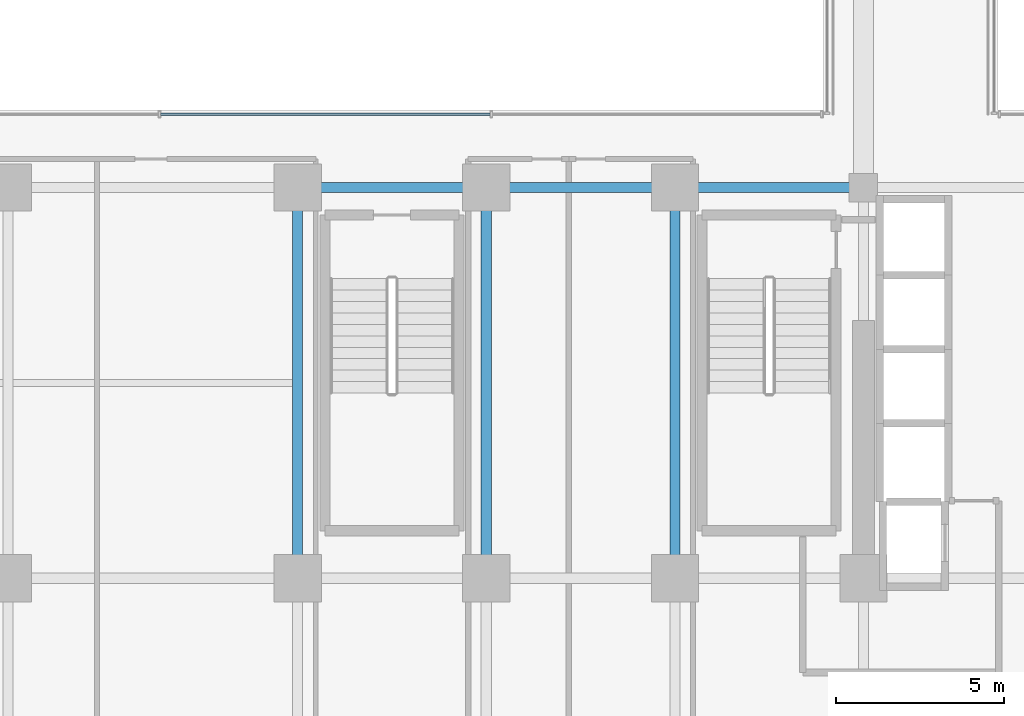
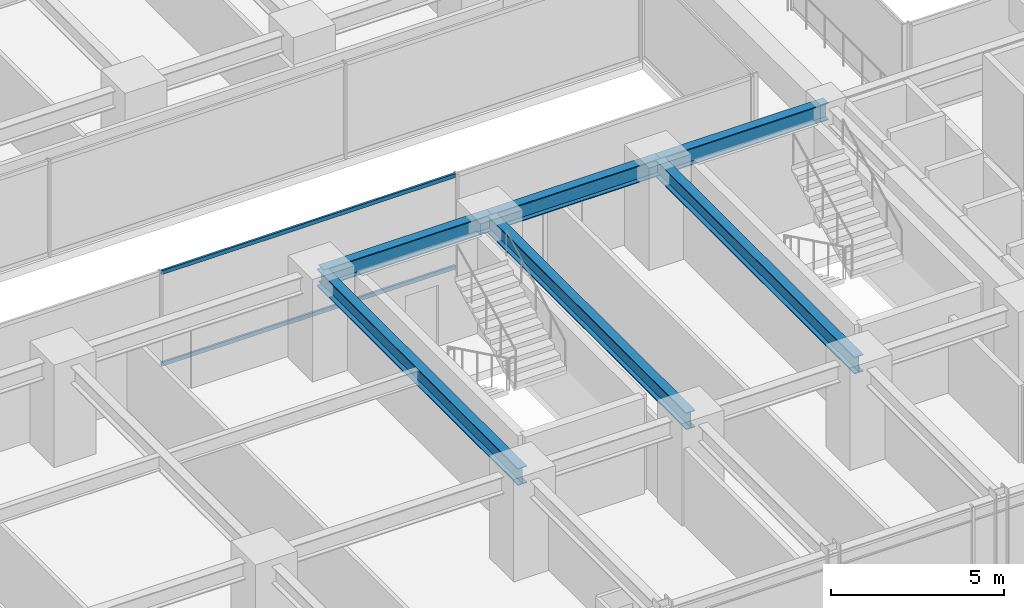
# One storey, part 10 of 43: 6 beams, 2 members, 1 element without a shape of its own.
"""IFC4 building model written with IfcOpenShell, lengths in metres."""

from ifc_helpers import new_model, si_unit, direction, frame, origin, origin_2d, place, context, subcontext, project, spatial, hollow_rectangle, i_section, extrude, source, transform, mapped, material, material_profile, profile_set, type_object, element, aggregate, save


model = new_model("IFC4")

# Units and contexts
model_context = context("Model", 3, precision=1e-05, world=origin(), true_north=direction((0.0, 1.0)))
body_context = subcontext(model_context, "Body", "Model", "MODEL_VIEW")
ifc_project = project(units=[si_unit("LENGTHUNIT", "METRE"), si_unit("AREAUNIT", "SQUARE_METRE"), si_unit("VOLUMEUNIT", "CUBIC_METRE"), si_unit("PLANEANGLEUNIT", "RADIAN"), si_unit("MASSUNIT", "GRAM", prefix="KILO")], contexts=[model_context])

# Site, building, storey
site_placement = place(None, origin())
site = spatial("IfcSite", under=ifc_project, at=site_placement, CompositionType="ELEMENT")
building_placement = place(site_placement, origin())
building = spatial("IfcBuilding", under=site, at=building_placement, Name="Nahalor Promenade Grand Hotel", CompositionType="ELEMENT")
storey_placement = place(building_placement, frame((0.0, 0.0, 57.949951171875)))
storey = spatial("IfcBuildingStorey", under=building, at=storey_placement, Name="L13", CompositionType="ELEMENT", Elevation=57.949951171875)

# Beams
ifc_material_1 = material(Name="Steel S355JR", Category="steel")
ifc_material_profile_1 = material_profile(ifc_material_1, i_section(OverallWidth=0.3, OverallDepth=0.6, WebThickness=0.0155, FlangeThickness=0.03, at=origin_2d()), Name="HEB 600")
ifc_profile_set_1 = profile_set([ifc_material_profile_1], Name="Steel S355JR")
beam_type = type_object("IfcBeamType", Name="Beam-Girder-HEB600", PredefinedType="BEAM", material=ifc_profile_set_1)
shared_shape_1 = source(origin(), body_context, "Body", "SweptSolid", [
    extrude(i_section(OverallWidth=0.3, OverallDepth=0.6, WebThickness=0.0155, FlangeThickness=0.03, at=origin_2d()), origin(), (0.0, 0.0, 1.0), 5.599853515625),
])
for number, where, z_axis, x_axis, name in (
    (1, (-8.39990234375, -5.39990234375, 3.070068359375), (1.0, 0.0, 0.0), (0.0, 1.0, 0.0), "BM-L13-GX-1-2"),
    (2, (2.800048828125, -5.39990234375, 3.070068359375), (1.0, 0.0, 0.0), (0.0, 1.0, 0.0), "BM-L13-GX-1-4"),
):
    element("IfcBeam", number, at=place(storey_placement, frame(where, z_axis=z_axis, x_axis=x_axis)), inside=storey, type_object=beam_type, Name=name, PredefinedType="BEAM", context=body_context, shape_type="MappedRepresentation", body=[
        mapped(shared_shape_1, transform((0.0, 0.0, 0.0), scale=1.0)),
    ])
shared_shape_2 = source(origin(), body_context, "Body", "SweptSolid", [
    extrude(i_section(OverallWidth=0.3, OverallDepth=0.6, WebThickness=0.0155, FlangeThickness=0.03, at=origin_2d()), origin(), (0.0, 0.0, 1.0), 5.60009765625),
])
beam_placement = place(storey_placement, frame((-2.800048828125, -5.39990234375, 3.070068359375), z_axis=(1.0, 0.0, 0.0), x_axis=(0.0, 1.0, 0.0)))
element("IfcBeam", 3, at=beam_placement, inside=storey, type_object=beam_type, Name="BM-L13-GX-1-3", PredefinedType="BEAM", context=body_context, shape_type="MappedRepresentation", body=[
    mapped(shared_shape_2, transform((0.0, 0.0, 0.0), scale=1.0)),
])
shared_shape_3 = source(origin(), body_context, "Body", "SweptSolid", [
    extrude(i_section(OverallWidth=0.3, OverallDepth=0.6, WebThickness=0.0155, FlangeThickness=0.03, at=origin_2d()), origin(), (0.0, 0.0, 1.0), 11.60009765625),
])
for number, where, z_axis, x_axis, name in (
    (4, (-8.39990234375, -17.0, 3.070068359375), (0.0, 1.0, 0.0), (-1.0, 0.0, 0.0), "BM-L13-GY-1-1"),
    (5, (-2.800048828125, -17.0, 3.070068359375), (0.0, 1.0, 0.0), (-1.0, 0.0, 0.0), "BM-L13-GY-2-1"),
    (6, (2.800048828125, -17.0, 3.070068359375), (0.0, 1.0, 0.0), (-1.0, 0.0, 0.0), "BM-L13-GY-3-1"),
):
    element("IfcBeam", number, at=place(storey_placement, frame(where, z_axis=z_axis, x_axis=x_axis)), inside=storey, type_object=beam_type, Name=name, PredefinedType="BEAM", context=body_context, shape_type="MappedRepresentation", body=[
        mapped(shared_shape_3, transform((0.0, 0.0, 0.0), scale=1.0)),
    ])

# Curtain wall, members
ifc_material_2 = material(Name="Anodised Bronze Aluminium EN AW-6063 T6", Category="aluminium")
curtain_wall_type = type_object("IfcCurtainWallType", Name="CW3 Elliptical-Void Collar Unitised Curtain Wall", PredefinedType="USERDEFINED", material=ifc_material_2)
curtain_wall_placement = place(storey_placement, origin())
curtain_wall = element("IfcCurtainWall", 7, at=curtain_wall_placement, inside=storey, type_object=curtain_wall_type, Name="L13 Curtain Wall CW-L13-VOID-WS1", ObjectType="UNITISED_CURTAIN_WALL", PredefinedType="USERDEFINED")
ifc_material_profile_2 = material_profile(ifc_material_2, hollow_rectangle(XDim=0.07, YDim=0.14, WallThickness=0.004, at=origin_2d()), Name="CWT 70x140x4")
ifc_profile_set_2 = profile_set([ifc_material_profile_2], Name="Anodised Bronze Aluminium EN AW-6063 T6")
member_type = type_object("IfcMemberType", Name="CWT3 Void Collar Transom 70x140", PredefinedType="USERDEFINED", material=ifc_profile_set_2)
shared_shape_4 = source(origin(), body_context, "Body", "SweptSolid", [
    extrude(hollow_rectangle(XDim=0.07, YDim=0.14, WallThickness=0.004, at=origin_2d()), origin(), (0.0, 0.0, 1.0), 9.783447265625),
])
member_1_placement = place(storey_placement, frame((-12.4716796875, -3.219970703125, 0.070068359375), z_axis=(1.0, 0.0, 0.0), x_axis=(0.0, 1.0, 0.0)))
member_1 = element("IfcMember", 8, at=member_1_placement, type_object=member_type, Name="CW-L13-VOID-WS1 Transom 1-0", ObjectType="TRANSOM", PredefinedType="USERDEFINED", context=body_context, shape_type="MappedRepresentation", body=[
    mapped(shared_shape_4, transform((0.0, 0.0, 0.0), scale=1.0)),
])
member_2_placement = place(storey_placement, frame((-12.4716796875, -3.219970703125, 3.300048828125), z_axis=(1.0, 0.0, 0.0), x_axis=(0.0, 1.0, 0.0)))
member_2 = element("IfcMember", 9, at=member_2_placement, type_object=member_type, Name="CW-L13-VOID-WS1 Transom 1-1", ObjectType="TRANSOM", PredefinedType="USERDEFINED", context=body_context, shape_type="MappedRepresentation", body=[
    mapped(shared_shape_4, transform((0.0, 0.0, 0.0), scale=1.0)),
])
aggregate(curtain_wall, [member_1, member_2])

save(model, "model.ifc")
